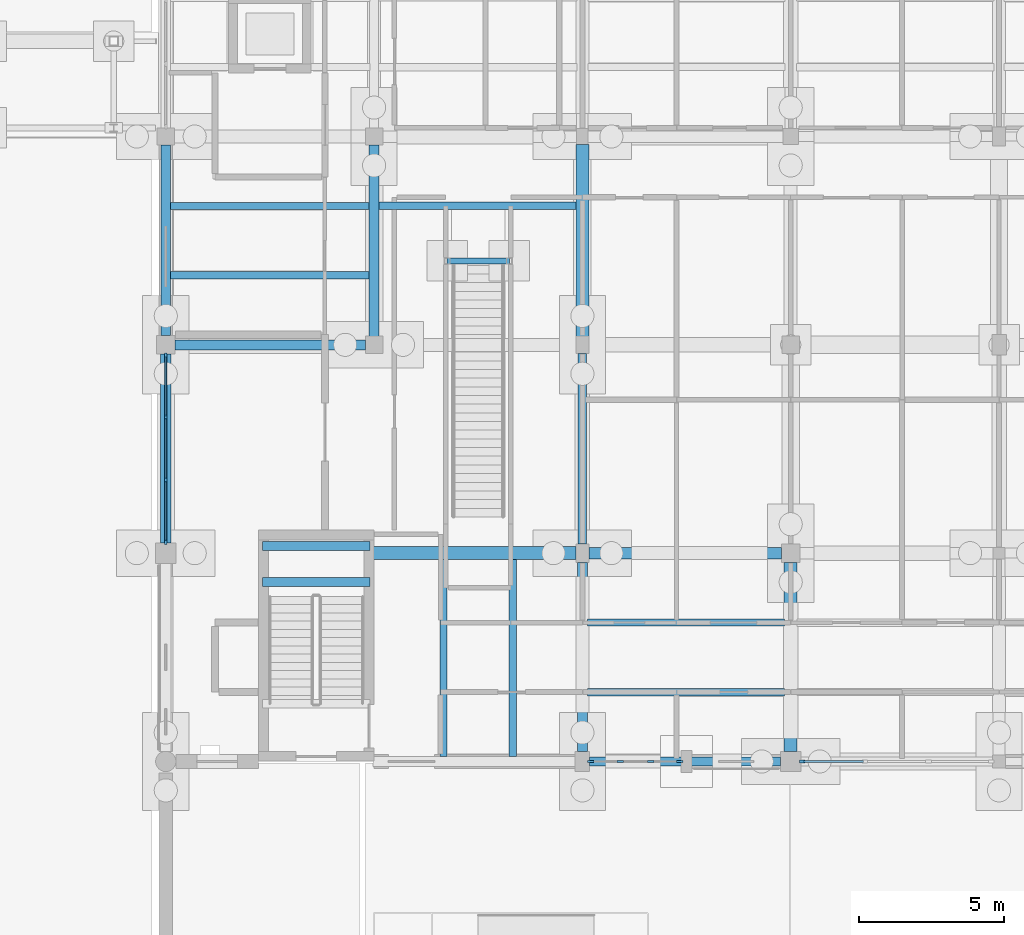
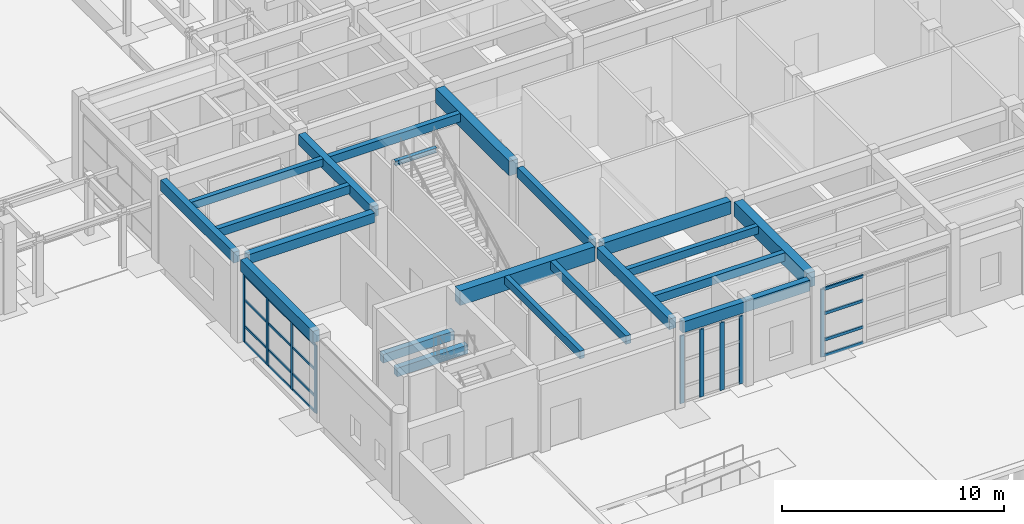
# One storey, part 33 of 143: 25 members, 21 beams, 3 elements without a shape of their own.
"""IFC4 building model written with IfcOpenShell, lengths in metres."""

from ifc_helpers import new_model, si_unit, direction, frame, origin, origin_2d, place, context, subcontext, project, spatial, rectangle, i_section, extrude, material, material_profile, profile_set, type_object, element, aggregate, save


model = new_model("IFC4")

# Units and contexts
model_context = context("Model", 3, precision=1e-05, world=origin(), true_north=direction((0.0, 1.0)))
body_context = subcontext(model_context, "Body", "Model", "MODEL_VIEW")
ifc_project = project(units=[si_unit("LENGTHUNIT", "METRE"), si_unit("AREAUNIT", "SQUARE_METRE"), si_unit("VOLUMEUNIT", "CUBIC_METRE"), si_unit("PLANEANGLEUNIT", "RADIAN"), si_unit("MASSUNIT", "GRAM", prefix="KILO")], contexts=[model_context])

# Site, building, storey
site_placement = place(None, origin())
site = spatial("IfcSite", under=ifc_project, at=site_placement, CompositionType="ELEMENT")
building_placement = place(site_placement, origin())
building = spatial("IfcBuilding", under=site, at=building_placement, Name="Steenspoor Specialist Clinic", CompositionType="ELEMENT")
storey_placement = place(building_placement, origin())
storey = spatial("IfcBuildingStorey", under=building, at=storey_placement, Name="L00", CompositionType="ELEMENT", Elevation=0.0)

# Beams
ifc_material_1 = material(Name="Concrete C35/45", Category="concrete")
ifc_material_profile_1 = material_profile(ifc_material_1, rectangle(XDim=0.300048828125, YDim=0.47998046875, at=origin_2d()), Name="RC-BM-300X480")
ifc_profile_set_1 = profile_set([ifc_material_profile_1], Name="Concrete C35/45")
beam_type_1 = type_object("IfcBeamType", Name="BM-RC-300X480", PredefinedType="BEAM", material=ifc_profile_set_1)
for number, where, z_axis, x_axis, name in (
    (1, (48.550048828125, 19.25, 1.9599609375), (1.0, 0.0, 0.0), (0.0, 1.0, 0.0), "Stair Mid-Landing Bearer 1 ST-V1A L00"),
    (2, (48.550048828125, 20.5, 1.9599609375), (1.0, 0.0, 0.0), (0.0, 1.0, 0.0), "Stair Mid-Landing Bearer 2 ST-V1A L00"),
):
    element("IfcBeam", number, at=place(storey_placement, frame(where, z_axis=z_axis, x_axis=x_axis)), inside=storey, type_object=beam_type_1, Name=name, PredefinedType="BEAM", context=body_context, shape_type="SweptSolid", body=[
        extrude(rectangle(XDim=0.300048828125, YDim=0.47998046875, at=origin_2d()), origin(), (0.0, 0.0, 1.0), 3.699951171875),
    ])
ifc_material_profile_2 = material_profile(ifc_material_1, rectangle(XDim=0.300048828125, YDim=0.550048828125, at=origin_2d()), Name="RC-BM-300X550")
ifc_profile_set_2 = profile_set([ifc_material_profile_2], Name="Concrete C35/45")
beam_type_2 = type_object("IfcBeamType", Name="BM-RC-300X550", PredefinedType="BEAM", material=ifc_profile_set_2)
beam_1_placement = place(storey_placement, frame((59.60009765625, 20.570068359375, 4.27490234375), z_axis=(0.0, 1.0, 0.0), x_axis=(-1.0, 0.0, 0.0)))
element("IfcBeam", 3, at=beam_1_placement, inside=storey, type_object=beam_type_2, Name="BM-V1-L00-Y0047", PredefinedType="BEAM", context=body_context, shape_type="SweptSolid", body=[
    extrude(rectangle(XDim=0.300048828125, YDim=0.550048828125, at=origin_2d()), origin(), (0.0, 0.0, 1.0), 6.5849609375),
])
ifc_material_profile_3 = material_profile(ifc_material_1, rectangle(XDim=0.35009765625, YDim=0.52001953125, at=origin_2d()), Name="RC-BM-350X520")
ifc_profile_set_3 = profile_set([ifc_material_profile_3], Name="Concrete C35/45")
beam_type_3 = type_object("IfcBeamType", Name="BM-RC-350X520", PredefinedType="BEAM", material=ifc_profile_set_3)
beam_2_placement = place(storey_placement, frame((45.52001953125, 27.449951171875, 4.2900390625), z_axis=(1.0, 0.0, 0.0), x_axis=(0.0, 1.0, 0.0)))
element("IfcBeam", 4, at=beam_2_placement, inside=storey, type_object=beam_type_3, Name="BM-V1-L00-X0017", PredefinedType="BEAM", context=body_context, shape_type="SweptSolid", body=[
    extrude(rectangle(XDim=0.35009765625, YDim=0.52001953125, at=origin_2d()), origin(), (0.0, 0.0, 1.0), 6.5849609375),
])
ifc_material_profile_4 = material_profile(ifc_material_1, rectangle(XDim=0.35009765625, YDim=0.580078125, at=origin_2d()), Name="RC-BM-350X580")
ifc_profile_set_4 = profile_set([ifc_material_profile_4], Name="Concrete C35/45")
beam_type_4 = type_object("IfcBeamType", Name="BM-RC-350X580", PredefinedType="BEAM", material=ifc_profile_set_4)
beam_3_placement = place(storey_placement, frame((52.39990234375, 27.7451171875, 4.260009765625), z_axis=(0.0, 1.0, 0.0), x_axis=(-1.0, 0.0, 0.0)))
element("IfcBeam", 5, at=beam_3_placement, inside=storey, type_object=beam_type_4, Name="BM-V1-L00-Y0044", PredefinedType="BEAM", context=body_context, shape_type="SweptSolid", body=[
    extrude(rectangle(XDim=0.35009765625, YDim=0.580078125, at=origin_2d()), origin(), (0.0, 0.0, 1.0), 6.60986328125),
])
beam_4_placement = place(storey_placement, frame((59.60009765625, 13.39501953125, 4.260009765625), z_axis=(0.0, 1.0, 0.0), x_axis=(-1.0, 0.0, 0.0)))
element("IfcBeam", 6, at=beam_4_placement, inside=storey, type_object=beam_type_4, Name="BM-V1-L00-Y0046", PredefinedType="BEAM", context=body_context, shape_type="SweptSolid", body=[
    extrude(rectangle(XDim=0.35009765625, YDim=0.580078125, at=origin_2d()), origin(), (0.0, 0.0, 1.0), 6.534912109375),
])
ifc_material_profile_5 = material_profile(ifc_material_1, rectangle(XDim=0.39990234375, YDim=0.699951171875, at=origin_2d()), Name="RC-BM-400X700")
ifc_profile_set_5 = profile_set([ifc_material_profile_5], Name="Concrete C35/45")
beam_type_5 = type_object("IfcBeamType", Name="BM-RC-400X700", PredefinedType="BEAM", material=ifc_profile_set_5)
beam_5_placement = place(storey_placement, frame((59.820068359375, 20.25, 4.199951171875), z_axis=(1.0, 0.0, 0.0), x_axis=(0.0, 1.0, 0.0)))
element("IfcBeam", 7, at=beam_5_placement, inside=storey, type_object=beam_type_5, Name="BM-V1-L00-X0010", PredefinedType="BEAM", context=body_context, shape_type="SweptSolid", body=[
    extrude(rectangle(XDim=0.39990234375, YDim=0.699951171875, at=origin_2d()), origin(), (0.0, 0.0, 1.0), 6.659912109375),
])
ifc_material_profile_6 = material_profile(ifc_material_1, rectangle(XDim=0.449951171875, YDim=0.800048828125, at=origin_2d()), Name="RC-BM-450X800")
ifc_profile_set_6 = profile_set([ifc_material_profile_6], Name="Concrete C35/45")
beam_type_6 = type_object("IfcBeamType", Name="BM-RC-450X800", PredefinedType="BEAM", material=ifc_profile_set_6)
beam_6_placement = place(storey_placement, frame((52.35498046875, 20.25, 4.14990234375), z_axis=(1.0, 0.0, 0.0), x_axis=(0.0, 1.0, 0.0)))
element("IfcBeam", 8, at=beam_6_placement, inside=storey, type_object=beam_type_6, Name="BM-V1-L00-X0009", PredefinedType="BEAM", context=body_context, shape_type="SweptSolid", body=[
    extrude(rectangle(XDim=0.449951171875, YDim=0.800048828125, at=origin_2d()), origin(), (0.0, 0.0, 1.0), 7.02490234375),
])
beam_7_placement = place(storey_placement, frame((59.60009765625, 27.7451171875, 4.14990234375), z_axis=(0.0, 1.0, 0.0), x_axis=(-1.0, 0.0, 0.0)))
element("IfcBeam", 9, at=beam_7_placement, inside=storey, type_object=beam_type_6, Name="BM-V1-L00-Y0048", PredefinedType="BEAM", context=body_context, shape_type="SweptSolid", body=[
    extrude(rectangle(XDim=0.449951171875, YDim=0.800048828125, at=origin_2d()), origin(), (0.0, 0.0, 1.0), 6.634765625),
])
beam_8_placement = place(storey_placement, frame((66.800048828125, 13.39501953125, 4.14990234375), z_axis=(0.0, 1.0, 0.0), x_axis=(-1.0, 0.0, 0.0)))
element("IfcBeam", 10, at=beam_8_placement, inside=storey, type_object=beam_type_6, Name="BM-V1-L00-Y0050", PredefinedType="BEAM", context=body_context, shape_type="SweptSolid", body=[
    extrude(rectangle(XDim=0.449951171875, YDim=0.800048828125, at=origin_2d()), origin(), (0.0, 0.0, 1.0), 6.534912109375),
])
ifc_material_2 = material(Name="Steel A992 Grade 50", Category="steel")
ifc_material_profile_7 = material_profile(ifc_material_2, i_section(OverallWidth=0.202880859375, OverallDepth=0.251953125, WebThickness=0.008056640625, FlangeThickness=0.013427734375, at=origin_2d()), Name="W250X58")
ifc_profile_set_7 = profile_set([ifc_material_profile_7], Name="Steel A992 Grade 50")
beam_type_7 = type_object("IfcBeamType", Name="BM-ST-W250X58", PredefinedType="JOIST", material=ifc_profile_set_7)
beam_9_placement = place(storey_placement, frame((54.925048828125, 30.35009765625, 4.469970703125), z_axis=(1.0, 0.0, 0.0), x_axis=(0.0, 1.0, 0.0)))
element("IfcBeam", 11, at=beam_9_placement, inside=storey, type_object=beam_type_7, Name="Feature Stair Landing Bearer ST-F01", PredefinedType="JOIST", context=body_context, shape_type="SweptSolid", body=[
    extrude(i_section(OverallWidth=0.202880859375, OverallDepth=0.251953125, WebThickness=0.008056640625, FlangeThickness=0.013427734375, at=origin_2d()), origin(), (0.0, 0.0, 1.0), 2.14990234375),
])

# Curtain wall, members
ifc_material_3 = material(Name="Thermally broken aluminium and low-emissivity glass", Category="aluminium")
curtain_wall_type_1 = type_object("IfcCurtainWallType", Name="CW-L00-360X415", PredefinedType="USERDEFINED", material=ifc_material_3)
curtain_wall_1_placement = place(storey_placement, origin())
curtain_wall_1 = element("IfcCurtainWall", 12, at=curtain_wall_1_placement, inside=storey, type_object=curtain_wall_type_1, Name="Unitised Curtain Wall CW-V1-L00-007", ObjectType="UNITISED GLAZING", PredefinedType="USERDEFINED")
ifc_material_4 = material(Name="Thermally broken aluminium 6063-T6", Category="aluminium")
ifc_material_profile_8 = material_profile(ifc_material_4, rectangle(XDim=0.080078125, YDim=0.179931640625, at=origin_2d()), Name="CWM-80X180")
ifc_profile_set_8 = profile_set([ifc_material_profile_8], Name="Thermally broken aluminium 6063-T6")
member_type_1 = type_object("IfcMemberType", Name="CW-MULL-80X180", PredefinedType="MULLION", material=ifc_profile_set_8)
member_1_placement = place(storey_placement, frame((45.199951171875, 20.639892578125, 0.0), z_axis=(0.0, 0.0, 1.0), x_axis=(-1.0, 0.0, 0.0)))
member_1 = element("IfcMember", 13, at=member_1_placement, type_object=member_type_1, Name="CW-07 mullion 1", PredefinedType="MULLION", context=body_context, shape_type="SweptSolid", body=[
    extrude(rectangle(XDim=0.080078125, YDim=0.179931640625, at=origin_2d()), origin(), (0.0, 0.0, 1.0), 3.72998046875),
])
member_2_placement = place(storey_placement, frame((45.199951171875, 22.77490234375, 0.0), z_axis=(0.0, 0.0, 1.0), x_axis=(-1.0, 0.0, 0.0)))
member_2 = element("IfcMember", 14, at=member_2_placement, type_object=member_type_1, Name="CW-07 mullion 2", PredefinedType="MULLION", context=body_context, shape_type="SweptSolid", body=[
    extrude(rectangle(XDim=0.080078125, YDim=0.179931640625, at=origin_2d()), origin(), (0.0, 0.0, 1.0), 3.72998046875),
])
member_3_placement = place(storey_placement, frame((45.199951171875, 24.949951171875, 0.0), z_axis=(0.0, 0.0, 1.0), x_axis=(-1.0, 0.0, 0.0)))
member_3 = element("IfcMember", 15, at=member_3_placement, type_object=member_type_1, Name="CW-07 mullion 3", PredefinedType="MULLION", context=body_context, shape_type="SweptSolid", body=[
    extrude(rectangle(XDim=0.080078125, YDim=0.179931640625, at=origin_2d()), origin(), (0.0, 0.0, 1.0), 3.72998046875),
])
member_4_placement = place(storey_placement, frame((45.199951171875, 27.0849609375, 0.0), z_axis=(0.0, 0.0, 1.0), x_axis=(-1.0, 0.0, 0.0)))
member_4 = element("IfcMember", 16, at=member_4_placement, type_object=member_type_1, Name="CW-07 mullion 4", PredefinedType="MULLION", context=body_context, shape_type="SweptSolid", body=[
    extrude(rectangle(XDim=0.080078125, YDim=0.179931640625, at=origin_2d()), origin(), (0.0, 0.0, 1.0), 3.72998046875),
])

curtain_wall_type_2 = type_object("IfcCurtainWallType", Name="CW-L00-480X415", PredefinedType="USERDEFINED", material=ifc_material_3)
curtain_wall_2_placement = place(storey_placement, origin())
curtain_wall_2 = element("IfcCurtainWall", 17, at=curtain_wall_2_placement, inside=storey, type_object=curtain_wall_type_2, Name="Unitised Curtain Wall CW-V1-L00-006", ObjectType="UNITISED GLAZING", PredefinedType="USERDEFINED")
ifc_material_profile_9 = material_profile(ifc_material_4, rectangle(XDim=0.080078125, YDim=0.219970703125, at=origin_2d()), Name="CWM-80X220")
ifc_profile_set_9 = profile_set([ifc_material_profile_9], Name="Thermally broken aluminium 6063-T6")
member_type_2 = type_object("IfcMemberType", Name="CW-MULL-80X220", PredefinedType="MULLION", material=ifc_profile_set_9)
member_5_placement = place(storey_placement, frame((62.969970703125, 13.050048828125, 0.0), z_axis=(0.0, 0.0, 1.0), x_axis=(0.0, -1.0, 0.0)))
member_5 = element("IfcMember", 18, at=member_5_placement, type_object=member_type_2, Name="CW-06 mullion 1", PredefinedType="MULLION", context=body_context, shape_type="SweptSolid", body=[
    extrude(rectangle(XDim=0.080078125, YDim=0.219970703125, at=origin_2d()), origin(), (0.0, 0.0, 1.0), 3.72998046875),
])
member_6_placement = place(storey_placement, frame((61.956787109375, 13.050048828125, 0.0), z_axis=(0.0, 0.0, 1.0), x_axis=(0.0, -1.0, 0.0)))
member_6 = element("IfcMember", 19, at=member_6_placement, type_object=member_type_2, Name="CW-06 mullion 2", PredefinedType="MULLION", context=body_context, shape_type="SweptSolid", body=[
    extrude(rectangle(XDim=0.080078125, YDim=0.219970703125, at=origin_2d()), origin(), (0.0, 0.0, 1.0), 3.72998046875),
])
member_7_placement = place(storey_placement, frame((60.9033203125, 13.050048828125, 0.0), z_axis=(0.0, 0.0, 1.0), x_axis=(0.0, -1.0, 0.0)))
member_7 = element("IfcMember", 20, at=member_7_placement, type_object=member_type_2, Name="CW-06 mullion 3", PredefinedType="MULLION", context=body_context, shape_type="SweptSolid", body=[
    extrude(rectangle(XDim=0.080078125, YDim=0.219970703125, at=origin_2d()), origin(), (0.0, 0.0, 1.0), 3.72998046875),
])
member_8_placement = place(storey_placement, frame((59.889892578125, 13.050048828125, 0.0), z_axis=(0.0, 0.0, 1.0), x_axis=(0.0, -1.0, 0.0)))
member_8 = element("IfcMember", 21, at=member_8_placement, type_object=member_type_2, Name="CW-06 mullion 4", PredefinedType="MULLION", context=body_context, shape_type="SweptSolid", body=[
    extrude(rectangle(XDim=0.080078125, YDim=0.219970703125, at=origin_2d()), origin(), (0.0, 0.0, 1.0), 3.72998046875),
])
aggregate(curtain_wall_2, [member_5, member_6, member_7, member_8])

# Curtain wall, member
curtain_wall_type_3 = type_object("IfcCurtainWallType", Name="CW-L00-650X415", PredefinedType="USERDEFINED", material=ifc_material_3)
curtain_wall_3_placement = place(storey_placement, origin())
curtain_wall_3 = element("IfcCurtainWall", 22, at=curtain_wall_3_placement, inside=storey, type_object=curtain_wall_type_3, Name="Unitised Curtain Wall CW-V1-L00-005", ObjectType="UNITISED GLAZING", PredefinedType="USERDEFINED")
ifc_material_profile_10 = material_profile(ifc_material_4, rectangle(XDim=0.090087890625, YDim=0.199951171875, at=origin_2d()), Name="CWM-90X200")
ifc_profile_set_10 = profile_set([ifc_material_profile_10], Name="Thermally broken aluminium 6063-T6")
member_type_3 = type_object("IfcMemberType", Name="CW-MULL-90X200", PredefinedType="MULLION", material=ifc_profile_set_10)
member_9_placement = place(storey_placement, frame((67.195068359375, 13.050048828125, 0.0), z_axis=(0.0, 0.0, 1.0), x_axis=(0.0, -1.0, 0.0)))
member_9 = element("IfcMember", 23, at=member_9_placement, type_object=member_type_3, Name="CW-05 mullion 4", PredefinedType="MULLION", context=body_context, shape_type="SweptSolid", body=[
    extrude(rectangle(XDim=0.090087890625, YDim=0.199951171875, at=origin_2d()), origin(), (0.0, 0.0, 1.0), 3.72998046875),
])

# Member
ifc_material_profile_11 = material_profile(ifc_material_4, rectangle(XDim=0.06494140625, YDim=0.1298828125, at=origin_2d()), Name="CWT-65X130")
ifc_profile_set_11 = profile_set([ifc_material_profile_11], Name="Thermally broken aluminium 6063-T6")
member_type_4 = type_object("IfcMemberType", Name="CW-TRAN-65X130", PredefinedType="USERDEFINED", material=ifc_profile_set_11)
member_10_placement = place(storey_placement, frame((45.199951171875, 20.679931640625, 0.032470703125), z_axis=(0.0, 1.0, 0.0), x_axis=(-1.0, 0.0, 0.0)))
member_10 = element("IfcMember", 24, at=member_10_placement, type_object=member_type_4, Name="CW-07 transom 1.1", ObjectType="TRANSOM", PredefinedType="USERDEFINED", context=body_context, shape_type="SweptSolid", body=[
    extrude(rectangle(XDim=0.06494140625, YDim=0.1298828125, at=origin_2d()), origin(), (0.0, 0.0, 1.0), 2.05517578125),
])

member_11_placement = place(storey_placement, frame((45.199951171875, 20.679931640625, 0.89990234375), z_axis=(0.0, 1.0, 0.0), x_axis=(-1.0, 0.0, 0.0)))
member_11 = element("IfcMember", 25, at=member_11_placement, type_object=member_type_4, Name="CW-07 transom 1.2", ObjectType="TRANSOM", PredefinedType="USERDEFINED", context=body_context, shape_type="SweptSolid", body=[
    extrude(rectangle(XDim=0.06494140625, YDim=0.1298828125, at=origin_2d()), origin(), (0.0, 0.0, 1.0), 2.05517578125),
])

member_12_placement = place(storey_placement, frame((45.199951171875, 20.679931640625, 2.35009765625), z_axis=(0.0, 1.0, 0.0), x_axis=(-1.0, 0.0, 0.0)))
member_12 = element("IfcMember", 26, at=member_12_placement, type_object=member_type_4, Name="CW-07 transom 1.3", ObjectType="TRANSOM", PredefinedType="USERDEFINED", context=body_context, shape_type="SweptSolid", body=[
    extrude(rectangle(XDim=0.06494140625, YDim=0.1298828125, at=origin_2d()), origin(), (0.0, 0.0, 1.0), 2.05517578125),
])

member_13_placement = place(storey_placement, frame((45.199951171875, 20.679931640625, 3.697509765625), z_axis=(0.0, 1.0, 0.0), x_axis=(-1.0, 0.0, 0.0)))
member_13 = element("IfcMember", 27, at=member_13_placement, type_object=member_type_4, Name="CW-07 transom 1.4", ObjectType="TRANSOM", PredefinedType="USERDEFINED", context=body_context, shape_type="SweptSolid", body=[
    extrude(rectangle(XDim=0.06494140625, YDim=0.1298828125, at=origin_2d()), origin(), (0.0, 0.0, 1.0), 2.05517578125),
])

member_14_placement = place(storey_placement, frame((45.199951171875, 22.81494140625, 0.032470703125), z_axis=(0.0, 1.0, 0.0), x_axis=(-1.0, 0.0, 0.0)))
member_14 = element("IfcMember", 28, at=member_14_placement, type_object=member_type_4, Name="CW-07 transom 2.1", ObjectType="TRANSOM", PredefinedType="USERDEFINED", context=body_context, shape_type="SweptSolid", body=[
    extrude(rectangle(XDim=0.06494140625, YDim=0.1298828125, at=origin_2d()), origin(), (0.0, 0.0, 1.0), 2.094970703125),
])

member_15_placement = place(storey_placement, frame((45.199951171875, 22.81494140625, 0.89990234375), z_axis=(0.0, 1.0, 0.0), x_axis=(-1.0, 0.0, 0.0)))
member_15 = element("IfcMember", 29, at=member_15_placement, type_object=member_type_4, Name="CW-07 transom 2.2", ObjectType="TRANSOM", PredefinedType="USERDEFINED", context=body_context, shape_type="SweptSolid", body=[
    extrude(rectangle(XDim=0.06494140625, YDim=0.1298828125, at=origin_2d()), origin(), (0.0, 0.0, 1.0), 2.094970703125),
])

member_16_placement = place(storey_placement, frame((45.199951171875, 22.81494140625, 2.35009765625), z_axis=(0.0, 1.0, 0.0), x_axis=(-1.0, 0.0, 0.0)))
member_16 = element("IfcMember", 30, at=member_16_placement, type_object=member_type_4, Name="CW-07 transom 2.3", ObjectType="TRANSOM", PredefinedType="USERDEFINED", context=body_context, shape_type="SweptSolid", body=[
    extrude(rectangle(XDim=0.06494140625, YDim=0.1298828125, at=origin_2d()), origin(), (0.0, 0.0, 1.0), 2.094970703125),
])

member_17_placement = place(storey_placement, frame((45.199951171875, 22.81494140625, 3.697509765625), z_axis=(0.0, 1.0, 0.0), x_axis=(-1.0, 0.0, 0.0)))
member_17 = element("IfcMember", 31, at=member_17_placement, type_object=member_type_4, Name="CW-07 transom 2.4", ObjectType="TRANSOM", PredefinedType="USERDEFINED", context=body_context, shape_type="SweptSolid", body=[
    extrude(rectangle(XDim=0.06494140625, YDim=0.1298828125, at=origin_2d()), origin(), (0.0, 0.0, 1.0), 2.094970703125),
])

member_18_placement = place(storey_placement, frame((45.199951171875, 24.989990234375, 0.032470703125), z_axis=(0.0, 1.0, 0.0), x_axis=(-1.0, 0.0, 0.0)))
member_18 = element("IfcMember", 32, at=member_18_placement, type_object=member_type_4, Name="CW-07 transom 3.1", ObjectType="TRANSOM", PredefinedType="USERDEFINED", context=body_context, shape_type="SweptSolid", body=[
    extrude(rectangle(XDim=0.06494140625, YDim=0.1298828125, at=origin_2d()), origin(), (0.0, 0.0, 1.0), 2.054931640625),
])

member_19_placement = place(storey_placement, frame((45.199951171875, 24.989990234375, 0.89990234375), z_axis=(0.0, 1.0, 0.0), x_axis=(-1.0, 0.0, 0.0)))
member_19 = element("IfcMember", 33, at=member_19_placement, type_object=member_type_4, Name="CW-07 transom 3.2", ObjectType="TRANSOM", PredefinedType="USERDEFINED", context=body_context, shape_type="SweptSolid", body=[
    extrude(rectangle(XDim=0.06494140625, YDim=0.1298828125, at=origin_2d()), origin(), (0.0, 0.0, 1.0), 2.054931640625),
])

member_20_placement = place(storey_placement, frame((45.199951171875, 24.989990234375, 2.35009765625), z_axis=(0.0, 1.0, 0.0), x_axis=(-1.0, 0.0, 0.0)))
member_20 = element("IfcMember", 34, at=member_20_placement, type_object=member_type_4, Name="CW-07 transom 3.3", ObjectType="TRANSOM", PredefinedType="USERDEFINED", context=body_context, shape_type="SweptSolid", body=[
    extrude(rectangle(XDim=0.06494140625, YDim=0.1298828125, at=origin_2d()), origin(), (0.0, 0.0, 1.0), 2.054931640625),
])

member_21_placement = place(storey_placement, frame((45.199951171875, 24.989990234375, 3.697509765625), z_axis=(0.0, 1.0, 0.0), x_axis=(-1.0, 0.0, 0.0)))
member_21 = element("IfcMember", 35, at=member_21_placement, type_object=member_type_4, Name="CW-07 transom 3.4", ObjectType="TRANSOM", PredefinedType="USERDEFINED", context=body_context, shape_type="SweptSolid", body=[
    extrude(rectangle(XDim=0.06494140625, YDim=0.1298828125, at=origin_2d()), origin(), (0.0, 0.0, 1.0), 2.054931640625),
])

aggregate(curtain_wall_1, [member_1, member_2, member_3, member_4, member_10, member_11, member_12, member_13, member_14, member_15, member_16, member_17, member_18, member_19, member_20, member_21])

ifc_material_profile_12 = material_profile(ifc_material_4, rectangle(XDim=0.080078125, YDim=0.159912109375, at=origin_2d()), Name="CWT-80X160")
ifc_profile_set_12 = profile_set([ifc_material_profile_12], Name="Thermally broken aluminium 6063-T6")
member_type_5 = type_object("IfcMemberType", Name="CW-TRAN-80X160", PredefinedType="USERDEFINED", material=ifc_profile_set_12)
member_22_placement = place(storey_placement, frame((69.313232421875, 13.050048828125, 0.0400390625), z_axis=(-1.0, 0.0, 0.0), x_axis=(0.0, -1.0, 0.0)))
member_22 = element("IfcMember", 36, at=member_22_placement, type_object=member_type_5, Name="CW-05 transom 3.1", ObjectType="TRANSOM", PredefinedType="USERDEFINED", context=body_context, shape_type="SweptSolid", body=[
    extrude(rectangle(XDim=0.080078125, YDim=0.159912109375, at=origin_2d()), origin(), (0.0, 0.0, 1.0), 2.0732421875),
])

member_23_placement = place(storey_placement, frame((69.313232421875, 13.050048828125, 0.89990234375), z_axis=(-1.0, 0.0, 0.0), x_axis=(0.0, -1.0, 0.0)))
member_23 = element("IfcMember", 37, at=member_23_placement, type_object=member_type_5, Name="CW-05 transom 3.2", ObjectType="TRANSOM", PredefinedType="USERDEFINED", context=body_context, shape_type="SweptSolid", body=[
    extrude(rectangle(XDim=0.080078125, YDim=0.159912109375, at=origin_2d()), origin(), (0.0, 0.0, 1.0), 2.0732421875),
])

member_24_placement = place(storey_placement, frame((69.313232421875, 13.050048828125, 2.35009765625), z_axis=(-1.0, 0.0, 0.0), x_axis=(0.0, -1.0, 0.0)))
member_24 = element("IfcMember", 38, at=member_24_placement, type_object=member_type_5, Name="CW-05 transom 3.3", ObjectType="TRANSOM", PredefinedType="USERDEFINED", context=body_context, shape_type="SweptSolid", body=[
    extrude(rectangle(XDim=0.080078125, YDim=0.159912109375, at=origin_2d()), origin(), (0.0, 0.0, 1.0), 2.0732421875),
])

member_25_placement = place(storey_placement, frame((69.313232421875, 13.050048828125, 3.68994140625), z_axis=(-1.0, 0.0, 0.0), x_axis=(0.0, -1.0, 0.0)))
member_25 = element("IfcMember", 39, at=member_25_placement, type_object=member_type_5, Name="CW-05 transom 3.4", ObjectType="TRANSOM", PredefinedType="USERDEFINED", context=body_context, shape_type="SweptSolid", body=[
    extrude(rectangle(XDim=0.080078125, YDim=0.159912109375, at=origin_2d()), origin(), (0.0, 0.0, 1.0), 2.0732421875),
])

aggregate(curtain_wall_3, [member_9, member_22, member_23, member_24, member_25])

# Beams
ifc_material_profile_13 = material_profile(ifc_material_1, rectangle(XDim=0.239990234375, YDim=0.419921875, at=origin_2d()), Name="RC-JT-240X420")
ifc_profile_set_13 = profile_set([ifc_material_profile_13], Name="Concrete C35/45")
beam_type_8 = type_object("IfcBeamType", Name="JT-RC-240X420", PredefinedType="JOIST", material=ifc_profile_set_13)
beam_10_placement = place(storey_placement, frame((45.35498046875, 32.25, 4.340087890625), z_axis=(1.0, 0.0, 0.0), x_axis=(0.0, 1.0, 0.0)))
element("IfcBeam", 40, at=beam_10_placement, inside=storey, type_object=beam_type_8, Name="JT-V1-L00-0071", PredefinedType="JOIST", context=body_context, shape_type="SweptSolid", body=[
    extrude(rectangle(XDim=0.239990234375, YDim=0.419921875, at=origin_2d()), origin(), (0.0, 0.0, 1.0), 6.875),
])
beam_11_placement = place(storey_placement, frame((54.800048828125, 13.22509765625, 4.340087890625), z_axis=(0.0, 1.0, 0.0), x_axis=(-1.0, 0.0, 0.0)))
element("IfcBeam", 41, at=beam_11_placement, inside=storey, type_object=beam_type_8, Name="JT-V1-L00-0074", PredefinedType="JOIST", context=body_context, shape_type="SweptSolid", body=[
    extrude(rectangle(XDim=0.239990234375, YDim=0.419921875, at=origin_2d()), origin(), (0.0, 0.0, 1.0), 6.804931640625),
])
beam_12_placement = place(storey_placement, frame((59.77001953125, 17.85009765625, 4.340087890625), z_axis=(1.0, 0.0, 0.0), x_axis=(0.0, 1.0, 0.0)))
element("IfcBeam", 42, at=beam_12_placement, inside=storey, type_object=beam_type_8, Name="JT-V1-L00-0080", PredefinedType="JOIST", context=body_context, shape_type="SweptSolid", body=[
    extrude(rectangle(XDim=0.239990234375, YDim=0.419921875, at=origin_2d()), origin(), (0.0, 0.0, 1.0), 6.81005859375),
])
ifc_material_profile_14 = material_profile(ifc_material_1, rectangle(XDim=0.260009765625, YDim=0.4599609375, at=origin_2d()), Name="RC-JT-260X460")
ifc_profile_set_14 = profile_set([ifc_material_profile_14], Name="Concrete C35/45")
beam_type_9 = type_object("IfcBeamType", Name="JT-RC-260X460", PredefinedType="JOIST", material=ifc_profile_set_14)
beam_13_placement = place(storey_placement, frame((45.35498046875, 29.85009765625, 4.320068359375), z_axis=(1.0, 0.0, 0.0), x_axis=(0.0, 1.0, 0.0)))
element("IfcBeam", 43, at=beam_13_placement, inside=storey, type_object=beam_type_9, Name="JT-V1-L00-0070", PredefinedType="JOIST", context=body_context, shape_type="SweptSolid", body=[
    extrude(rectangle(XDim=0.260009765625, YDim=0.4599609375, at=origin_2d()), origin(), (0.0, 0.0, 1.0), 6.875),
])
beam_14_placement = place(storey_placement, frame((57.199951171875, 13.22509765625, 4.320068359375), z_axis=(0.0, 1.0, 0.0), x_axis=(-1.0, 0.0, 0.0)))
element("IfcBeam", 44, at=beam_14_placement, inside=storey, type_object=beam_type_9, Name="JT-V1-L00-0075", PredefinedType="JOIST", context=body_context, shape_type="SweptSolid", body=[
    extrude(rectangle(XDim=0.260009765625, YDim=0.4599609375, at=origin_2d()), origin(), (0.0, 0.0, 1.0), 6.804931640625),
])
beam_15_placement = place(storey_placement, frame((52.570068359375, 32.25, 4.320068359375), z_axis=(1.0, 0.0, 0.0), x_axis=(0.0, 1.0, 0.0)))
element("IfcBeam", 45, at=beam_15_placement, inside=storey, type_object=beam_type_9, Name="JT-V1-L00-0076", PredefinedType="JOIST", context=body_context, shape_type="SweptSolid", body=[
    extrude(rectangle(XDim=0.260009765625, YDim=0.4599609375, at=origin_2d()), origin(), (0.0, 0.0, 1.0), 6.809814453125),
])
beam_16_placement = place(storey_placement, frame((59.77001953125, 15.449951171875, 4.320068359375), z_axis=(1.0, 0.0, 0.0), x_axis=(0.0, 1.0, 0.0)))
element("IfcBeam", 46, at=beam_16_placement, inside=storey, type_object=beam_type_9, Name="JT-V1-L00-0079", PredefinedType="JOIST", context=body_context, shape_type="SweptSolid", body=[
    extrude(rectangle(XDim=0.260009765625, YDim=0.4599609375, at=origin_2d()), origin(), (0.0, 0.0, 1.0), 6.81005859375),
])
ifc_material_profile_15 = material_profile(ifc_material_1, rectangle(XDim=0.320068359375, YDim=0.60009765625, at=origin_2d()), Name="RC-SP-320X600")
ifc_profile_set_15 = profile_set([ifc_material_profile_15], Name="Concrete C35/45")
beam_type_10 = type_object("IfcBeamType", Name="SP-RC-320X600", PredefinedType="SPANDREL", material=ifc_profile_set_15)
beam_17_placement = place(storey_placement, frame((59.844970703125, 13.050048828125, 4.25), z_axis=(1.0, 0.0, 0.0), x_axis=(0.0, 1.0, 0.0)))
element("IfcBeam", 47, at=beam_17_placement, inside=storey, type_object=beam_type_10, Name="BM-V1-L00-X0002", PredefinedType="SPANDREL", context=body_context, shape_type="SweptSolid", body=[
    extrude(rectangle(XDim=0.320068359375, YDim=0.60009765625, at=origin_2d()), origin(), (0.0, 0.0, 1.0), 6.610107421875),
])
beam_18_placement = place(storey_placement, frame((45.199951171875, 27.77001953125, 4.25), z_axis=(0.0, 1.0, 0.0), x_axis=(-1.0, 0.0, 0.0)))
element("IfcBeam", 48, at=beam_18_placement, inside=storey, type_object=beam_type_10, Name="BM-V1-L00-Y0042", PredefinedType="SPANDREL", context=body_context, shape_type="SweptSolid", body=[
    extrude(rectangle(XDim=0.320068359375, YDim=0.60009765625, at=origin_2d()), origin(), (0.0, 0.0, 1.0), 6.5849609375),
])
ifc_material_profile_16 = material_profile(ifc_material_1, rectangle(XDim=0.360107421875, YDim=0.639892578125, at=origin_2d()), Name="RC-SP-360X640")
ifc_profile_set_16 = profile_set([ifc_material_profile_16], Name="Concrete C35/45")
beam_type_11 = type_object("IfcBeamType", Name="SP-RC-360X640", PredefinedType="SPANDREL", material=ifc_profile_set_16)
beam_19_placement = place(storey_placement, frame((45.199951171875, 20.594970703125, 4.22998046875), z_axis=(0.0, 1.0, 0.0), x_axis=(-1.0, 0.0, 0.0)))
element("IfcBeam", 49, at=beam_19_placement, inside=storey, type_object=beam_type_11, Name="BM-V1-L00-Y0041", PredefinedType="SPANDREL", context=body_context, shape_type="SweptSolid", body=[
    extrude(rectangle(XDim=0.360107421875, YDim=0.639892578125, at=origin_2d()), origin(), (0.0, 0.0, 1.0), 6.534912109375),
])

save(model, "model.ifc")
